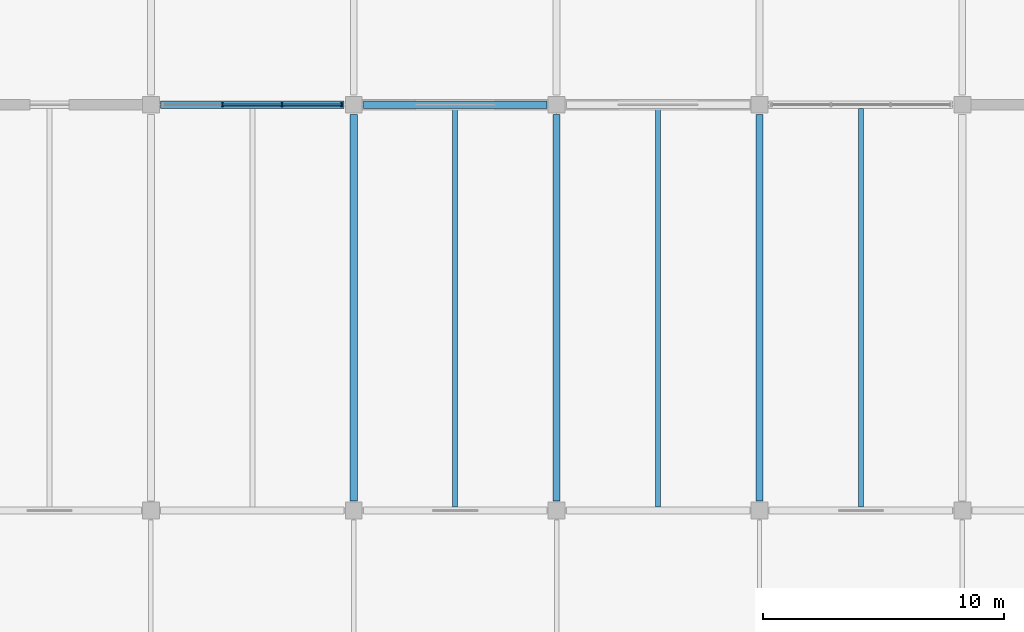
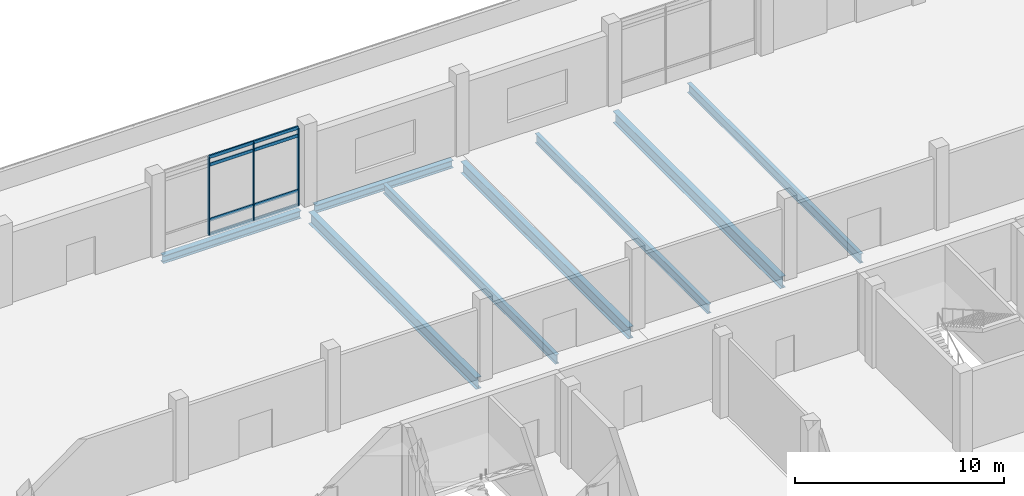
# One storey, part 11 of 110: 11 members, 8 beams, 1 element without a shape of its own.
"""IFC4 building model written with IfcOpenShell, lengths in metres."""

from ifc_helpers import new_model, si_unit, direction, frame, origin, origin_2d, place, context, subcontext, project, spatial, rectangle, i_section, extrude, material, layer, layer_set, material_profile, profile_set, type_object, element, aggregate, save


model = new_model("IFC4")

# Units and contexts
model_context = context("Model", 3, precision=1e-05, world=origin(), true_north=direction((0.0, 1.0)))
body_context = subcontext(model_context, "Body", "Model", "MODEL_VIEW")
ifc_project = project(units=[si_unit("LENGTHUNIT", "METRE"), si_unit("AREAUNIT", "SQUARE_METRE"), si_unit("VOLUMEUNIT", "CUBIC_METRE"), si_unit("PLANEANGLEUNIT", "RADIAN"), si_unit("MASSUNIT", "GRAM", prefix="KILO")], contexts=[model_context])

# Site, building, storey
site_placement = place(None, origin())
site = spatial("IfcSite", under=ifc_project, at=site_placement, CompositionType="ELEMENT")
building_placement = place(site_placement, origin())
building = spatial("IfcBuilding", under=site, at=building_placement, Name="Qawsi Khor Wholesale Market", CompositionType="ELEMENT")
storey_placement = place(building_placement, frame((0.0, 0.0, 11.39990234375)))
storey = spatial("IfcBuildingStorey", under=building, at=storey_placement, Name="L02", CompositionType="ELEMENT", Elevation=11.39990234375)

# Curtain wall, members
ifc_material_1 = material(Name="Aluminium Anodised Bronze", Category="aluminium")
ifc_layer = layer(ifc_material_1, 0.169921875, Name="Aluminium Anodised Bronze")
ifc_layer_set = layer_set([ifc_layer], Name="Aluminium Anodised Bronze")
curtain_wall_type = type_object("IfcCurtainWallType", Name="Central Court Gallery Curtain Wall CW-05", PredefinedType="NOTDEFINED", material=ifc_layer_set)
curtain_wall_placement = place(storey_placement, origin())
curtain_wall = element("IfcCurtainWall", 1, at=curtain_wall_placement, inside=storey, type_object=curtain_wall_type, Name="Curtain wall CW-CW-05-L02-067", PredefinedType="NOTDEFINED")
ifc_material_profile_1 = material_profile(ifc_material_1, rectangle(XDim=0.06005859375, YDim=0.159912109375, at=origin_2d()), Name="ALU MULLION 60x160")
ifc_profile_set_1 = profile_set([ifc_material_profile_1], Name="Aluminium Anodised Bronze")
member_type_1 = type_object("IfcMemberType", Name="Curtain Wall Mullion CW-05 ALU MULLION 60x160", PredefinedType="MULLION", material=ifc_profile_set_1)
member_1_placement = place(storey_placement, frame((95.36669921875, 42.0, -0.02001953125), z_axis=(0.0, 0.0, 1.0), x_axis=(1.0, 0.0, 0.0)))
member_1 = element("IfcMember", 2, at=member_1_placement, type_object=member_type_1, Name="Mullion CW-CW-05-L02-067-M01", PredefinedType="MULLION", context=body_context, shape_type="SweptSolid", body=[
    extrude(rectangle(XDim=0.06005859375, YDim=0.159912109375, at=origin_2d()), origin(), (0.0, 0.0, 1.0), 4.5400390625),
])
member_2_placement = place(storey_placement, frame((97.833251953125, 42.0, -0.02001953125), z_axis=(0.0, 0.0, 1.0), x_axis=(1.0, 0.0, 0.0)))
member_2 = element("IfcMember", 3, at=member_2_placement, type_object=member_type_1, Name="Mullion CW-CW-05-L02-067-M02", PredefinedType="MULLION", context=body_context, shape_type="SweptSolid", body=[
    extrude(rectangle(XDim=0.06005859375, YDim=0.159912109375, at=origin_2d()), origin(), (0.0, 0.0, 1.0), 4.5400390625),
])
member_3_placement = place(storey_placement, frame((100.300048828125, 42.0, -0.02001953125), z_axis=(0.0, 0.0, 1.0), x_axis=(1.0, 0.0, 0.0)))
member_3 = element("IfcMember", 4, at=member_3_placement, type_object=member_type_1, Name="Mullion CW-CW-05-L02-067-M03", PredefinedType="MULLION", context=body_context, shape_type="SweptSolid", body=[
    extrude(rectangle(XDim=0.06005859375, YDim=0.159912109375, at=origin_2d()), origin(), (0.0, 0.0, 1.0), 4.5400390625),
])
ifc_material_profile_2 = material_profile(ifc_material_1, rectangle(XDim=0.080078125, YDim=0.179931640625, at=origin_2d()), Name="ALU TRANSOM 80x180")
ifc_profile_set_2 = profile_set([ifc_material_profile_2], Name="Aluminium Anodised Bronze")
member_type_2 = type_object("IfcMemberType", Name="Curtain Wall Transom CW-05 ALU TRANSOM 80x180", PredefinedType="USERDEFINED", material=ifc_profile_set_2)
member_4_placement = place(storey_placement, frame((95.36669921875, 42.0, 0.0), z_axis=(1.0, 0.0, 0.0), x_axis=(0.0, 1.0, 0.0)))
member_4 = element("IfcMember", 5, at=member_4_placement, type_object=member_type_2, Name="Transom CW-CW-05-L02-067-T0_01", ObjectType="TRANSOM", PredefinedType="USERDEFINED", context=body_context, shape_type="SweptSolid", body=[
    extrude(rectangle(XDim=0.080078125, YDim=0.179931640625, at=origin_2d()), origin(), (0.0, 0.0, 1.0), 2.466552734375),
])
member_5_placement = place(storey_placement, frame((97.833251953125, 42.0, 0.0), z_axis=(1.0, 0.0, 0.0), x_axis=(0.0, 1.0, 0.0)))
member_5 = element("IfcMember", 6, at=member_5_placement, type_object=member_type_2, Name="Transom CW-CW-05-L02-067-T0_02", ObjectType="TRANSOM", PredefinedType="USERDEFINED", context=body_context, shape_type="SweptSolid", body=[
    extrude(rectangle(XDim=0.080078125, YDim=0.179931640625, at=origin_2d()), origin(), (0.0, 0.0, 1.0), 2.466796875),
])
member_6_placement = place(storey_placement, frame((95.36669921875, 42.0, 0.85009765625), z_axis=(1.0, 0.0, 0.0), x_axis=(0.0, 1.0, 0.0)))
member_6 = element("IfcMember", 7, at=member_6_placement, type_object=member_type_2, Name="Transom CW-CW-05-L02-067-T1_01", ObjectType="TRANSOM", PredefinedType="USERDEFINED", context=body_context, shape_type="SweptSolid", body=[
    extrude(rectangle(XDim=0.080078125, YDim=0.179931640625, at=origin_2d()), origin(), (0.0, 0.0, 1.0), 2.466552734375),
])
member_7_placement = place(storey_placement, frame((97.833251953125, 42.0, 0.85009765625), z_axis=(1.0, 0.0, 0.0), x_axis=(0.0, 1.0, 0.0)))
member_7 = element("IfcMember", 8, at=member_7_placement, type_object=member_type_2, Name="Transom CW-CW-05-L02-067-T1_02", ObjectType="TRANSOM", PredefinedType="USERDEFINED", context=body_context, shape_type="SweptSolid", body=[
    extrude(rectangle(XDim=0.080078125, YDim=0.179931640625, at=origin_2d()), origin(), (0.0, 0.0, 1.0), 2.466796875),
])
member_8_placement = place(storey_placement, frame((95.36669921875, 42.0, 4.070068359375), z_axis=(1.0, 0.0, 0.0), x_axis=(0.0, 1.0, 0.0)))
member_8 = element("IfcMember", 9, at=member_8_placement, type_object=member_type_2, Name="Transom CW-CW-05-L02-067-T2_01", ObjectType="TRANSOM", PredefinedType="USERDEFINED", context=body_context, shape_type="SweptSolid", body=[
    extrude(rectangle(XDim=0.080078125, YDim=0.179931640625, at=origin_2d()), origin(), (0.0, 0.0, 1.0), 2.466552734375),
])
member_9_placement = place(storey_placement, frame((97.833251953125, 42.0, 4.070068359375), z_axis=(1.0, 0.0, 0.0), x_axis=(0.0, 1.0, 0.0)))
member_9 = element("IfcMember", 10, at=member_9_placement, type_object=member_type_2, Name="Transom CW-CW-05-L02-067-T2_02", ObjectType="TRANSOM", PredefinedType="USERDEFINED", context=body_context, shape_type="SweptSolid", body=[
    extrude(rectangle(XDim=0.080078125, YDim=0.179931640625, at=origin_2d()), origin(), (0.0, 0.0, 1.0), 2.466796875),
])
member_10_placement = place(storey_placement, frame((95.36669921875, 42.0, 4.52001953125), z_axis=(1.0, 0.0, 0.0), x_axis=(0.0, 1.0, 0.0)))
member_10 = element("IfcMember", 11, at=member_10_placement, type_object=member_type_2, Name="Transom CW-CW-05-L02-067-T3_01", ObjectType="TRANSOM", PredefinedType="USERDEFINED", context=body_context, shape_type="SweptSolid", body=[
    extrude(rectangle(XDim=0.080078125, YDim=0.179931640625, at=origin_2d()), origin(), (0.0, 0.0, 1.0), 2.466552734375),
])
member_11_placement = place(storey_placement, frame((97.833251953125, 42.0, 4.52001953125), z_axis=(1.0, 0.0, 0.0), x_axis=(0.0, 1.0, 0.0)))
member_11 = element("IfcMember", 12, at=member_11_placement, type_object=member_type_2, Name="Transom CW-CW-05-L02-067-T3_02", ObjectType="TRANSOM", PredefinedType="USERDEFINED", context=body_context, shape_type="SweptSolid", body=[
    extrude(rectangle(XDim=0.080078125, YDim=0.179931640625, at=origin_2d()), origin(), (0.0, 0.0, 1.0), 2.466796875),
])
aggregate(curtain_wall, [member_1, member_2, member_3, member_4, member_5, member_6, member_7, member_8, member_9, member_10, member_11])

# Beams
ifc_material_2 = material(Name="Steel S355", Category="steel")
ifc_material_profile_3 = material_profile(ifc_material_2, i_section(OverallWidth=0.300048828125, OverallDepth=0.449951171875, WebThickness=0.013916015625, FlangeThickness=0.02587890625, FilletRadius=0.027099609375, at=origin_2d()), Name="HEB 450")
ifc_profile_set_3 = profile_set([ifc_material_profile_3], Name="Steel S355")
beam_type_1 = type_object("IfcBeamType", Name="Heavy Edge Girder HEB 450", PredefinedType="BEAM", material=ifc_profile_set_3)
beam_1_placement = place(storey_placement, frame((92.800048828125, 42.0, -0.5048828125), z_axis=(1.0, 0.0, 0.0), x_axis=(0.0, 1.0, 0.0)))
element("IfcBeam", 13, at=beam_1_placement, inside=storey, type_object=beam_type_1, Name="BM-X-L02-11_+05", PredefinedType="BEAM", context=body_context, shape_type="SweptSolid", body=[
    extrude(i_section(OverallWidth=0.300048828125, OverallDepth=0.449951171875, WebThickness=0.013916015625, FlangeThickness=0.02587890625, FilletRadius=0.027099609375, at=origin_2d()), origin(), (0.0, 0.0, 1.0), 7.599853515625),
])
beam_2_placement = place(storey_placement, frame((101.199951171875, 42.0, -0.5048828125), z_axis=(1.0, 0.0, 0.0), x_axis=(0.0, 1.0, 0.0)))
element("IfcBeam", 14, at=beam_2_placement, inside=storey, type_object=beam_type_1, Name="BM-X-L02-12_+05", PredefinedType="BEAM", context=body_context, shape_type="SweptSolid", body=[
    extrude(i_section(OverallWidth=0.300048828125, OverallDepth=0.449951171875, WebThickness=0.013916015625, FlangeThickness=0.02587890625, FilletRadius=0.027099609375, at=origin_2d()), origin(), (0.0, 0.0, 1.0), 7.60009765625),
])
ifc_material_profile_4 = material_profile(ifc_material_2, i_section(OverallWidth=0.300048828125, OverallDepth=0.68994140625, WebThickness=0.014404296875, FlangeThickness=0.027099609375, FilletRadius=0.027099609375, at=origin_2d()), Name="HEA 700")
ifc_profile_set_4 = profile_set([ifc_material_profile_4], Name="Steel S355")
beam_type_2 = type_object("IfcBeamType", Name="Primary Girder HEA 700", PredefinedType="BEAM", material=ifc_profile_set_4)
for number, where, z_axis, x_axis, name in (
    (15, (100.800048828125, 25.60009765625, -0.625), (0.0, 1.0, 0.0), (-1.0, 0.0, 0.0), "BM-YL-L02-12_+03"),
    (16, (109.199951171875, 25.60009765625, -0.625), (0.0, 1.0, 0.0), (-1.0, 0.0, 0.0), "BM-YL-L02-13_+03"),
    (17, (117.60009765625, 25.60009765625, -0.625), (0.0, 1.0, 0.0), (-1.0, 0.0, 0.0), "BM-YL-L02-14_+03"),
):
    element("IfcBeam", number, at=place(storey_placement, frame(where, z_axis=z_axis, x_axis=x_axis)), inside=storey, type_object=beam_type_2, Name=name, PredefinedType="BEAM", context=body_context, shape_type="SweptSolid", body=[
        extrude(i_section(OverallWidth=0.300048828125, OverallDepth=0.68994140625, WebThickness=0.014404296875, FlangeThickness=0.027099609375, FilletRadius=0.027099609375, at=origin_2d()), origin(), (0.0, 0.0, 1.0), 16.0),
    ])
ifc_material_profile_5 = material_profile(ifc_material_2, i_section(OverallWidth=0.2099609375, OverallDepth=0.550048828125, WebThickness=0.010986328125, FlangeThickness=0.01708984375, FilletRadius=0.02392578125, at=origin_2d()), Name="IPE 550")
ifc_profile_set_5 = profile_set([ifc_material_profile_5], Name="Steel S355")
beam_type_3 = type_object("IfcBeamType", Name="Secondary Beam IPE 550", PredefinedType="BEAM", material=ifc_profile_set_5)
for number, where, z_axis, x_axis, name in (
    (18, (105.0, 25.35009765625, -0.554931640625), (0.0, 1.0, 0.0), (-1.0, 0.0, 0.0), "JST-M-L02-12"),
    (19, (113.39990234375, 25.35009765625, -0.554931640625), (0.0, 1.0, 0.0), (-1.0, 0.0, 0.0), "JST-M-L02-13"),
    (20, (121.800048828125, 25.35009765625, -0.554931640625), (0.0, 1.0, 0.0), (-1.0, 0.0, 0.0), "JST-M-L02-14"),
):
    element("IfcBeam", number, at=place(storey_placement, frame(where, z_axis=z_axis, x_axis=x_axis)), inside=storey, type_object=beam_type_3, Name=name, PredefinedType="BEAM", context=body_context, shape_type="SweptSolid", body=[
        extrude(i_section(OverallWidth=0.2099609375, OverallDepth=0.550048828125, WebThickness=0.010986328125, FlangeThickness=0.01708984375, FilletRadius=0.02392578125, at=origin_2d()), origin(), (0.0, 0.0, 1.0), 16.5),
    ])

save(model, "model.ifc")
